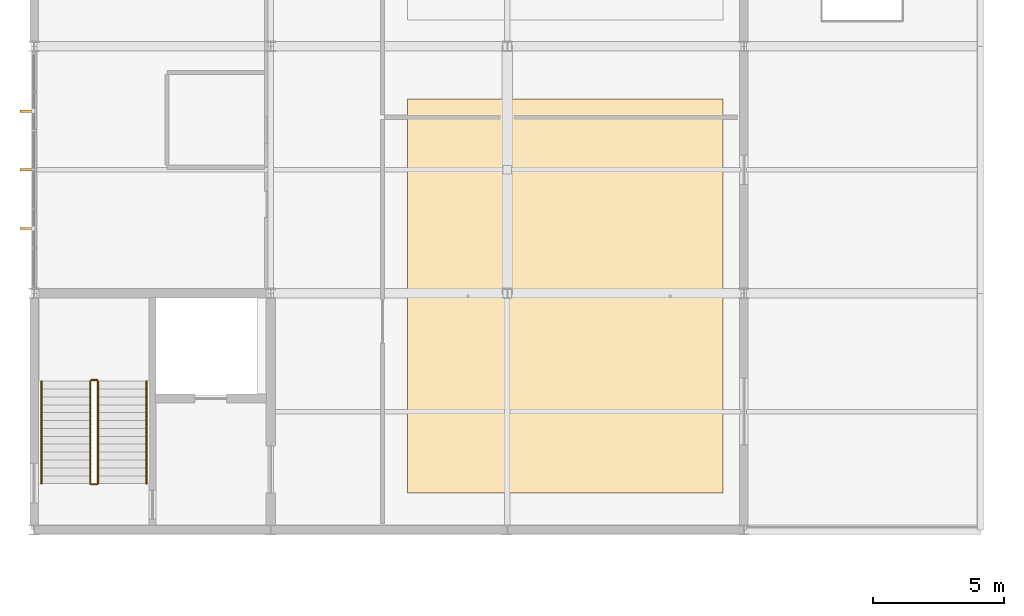
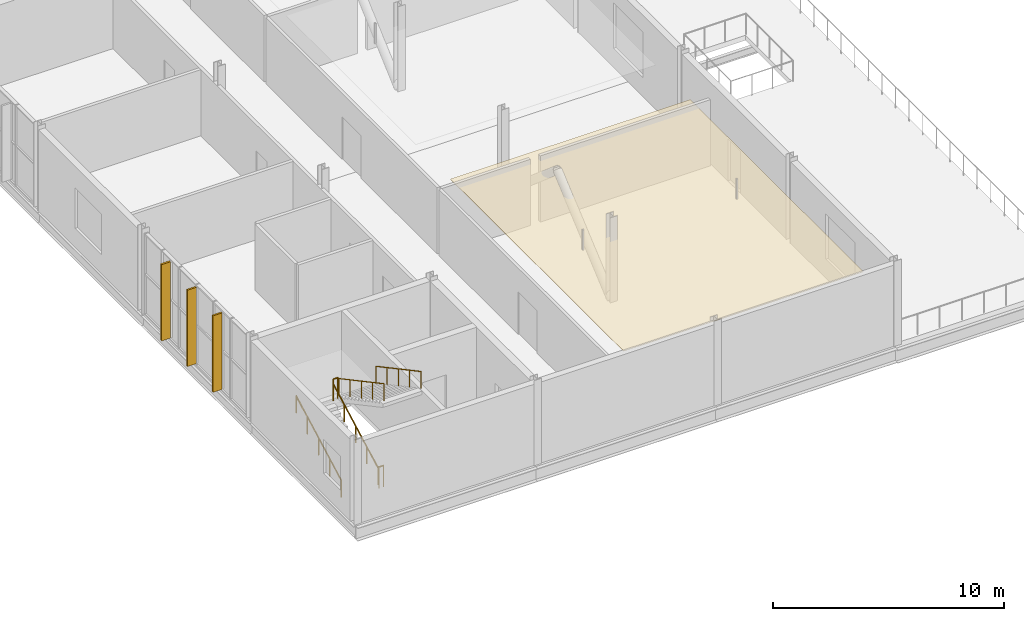
# One storey, part 50 of 53: 6 railings, 3 shading devices, 1 covering.
"""IFC4 building model written with IfcOpenShell, lengths in metres."""

from ifc_helpers import new_model, si_unit, direction, frame, origin, origin_2d, place, context, subcontext, project, spatial, polyline, rectangle, circle, outline, extrude, material, layer, layer_set, type_object, element, save


model = new_model("IFC4")

# Units and contexts
model_context = context("Model", 3, precision=1e-05, world=origin(), true_north=direction((0.0, 1.0)))
body_context = subcontext(model_context, "Body", "Model", "MODEL_VIEW")
ifc_project = project(units=[si_unit("LENGTHUNIT", "METRE"), si_unit("AREAUNIT", "SQUARE_METRE"), si_unit("VOLUMEUNIT", "CUBIC_METRE"), si_unit("PLANEANGLEUNIT", "RADIAN"), si_unit("MASSUNIT", "GRAM", prefix="KILO")], contexts=[model_context])

# Site, building, storey
site_placement = place(None, origin())
site = spatial("IfcSite", under=ifc_project, at=site_placement, CompositionType="ELEMENT")
building_placement = place(site_placement, origin())
building = spatial("IfcBuilding", under=site, at=building_placement, Name="Cazmaro Siding Exhibition Halls", CompositionType="ELEMENT")
storey_placement = place(building_placement, frame((0.0, 0.0, 21.0)))
storey = spatial("IfcBuildingStorey", under=building, at=storey_placement, Name="L04", CompositionType="ELEMENT", Elevation=21.0)

# Covering
ifc_material_1 = material(Name="Perforated Micro-Slotted Acoustic Timber Ceiling Cloud", Category="wood")
ifc_layer = layer(ifc_material_1, 0.02490234375)
ifc_layer_set = layer_set([ifc_layer], Name="Perforated Micro-Slotted Acoustic Timber Ceiling Cloud")
covering_type = type_object("IfcCoveringType", Name="COV-CEIL-01", PredefinedType="CEILING", material=ifc_layer_set)
covering_placement = place(storey_placement, frame((0.0, 0.0, 3.199951171875)))
element("IfcCovering", 1, at=covering_placement, inside=storey, type_object=covering_type, Name="Acoustic Timber Ceiling Cloud 009", PredefinedType="CEILING", context=body_context, shape_type="SweptSolid", body=[
    extrude(outline(polyline([(14.199951171875, 56.0), (26.199951171875, 56.0), (26.199951171875, 71.0), (14.199951171875, 71.0), (14.199951171875, 56.0)])), origin(), (0.0, 0.0, 1.0), 0.025146484375),
])

# Railings
ifc_material_2 = material(Name="Painted Steel Stairwell Guardrail", Category="steel")
railing_type_1 = type_object("IfcRailingType", Name="RL-GRD-01", PredefinedType="GUARDRAIL", material=ifc_material_2)
for number, where, name in (
    (2, (2.1650390625, 56.340087890625, 0.0), "Core C7 L04 Landing Slot Guard RL-GRD-01 RL-SG032"),
    (3, (2.1650390625, 60.300048828125, 2.25), "ST-17 Mid-Landing Slot Guard RL-GRD-01 RL-SG033"),
):
    element("IfcRailing", number, at=place(storey_placement, frame(where)), inside=storey, type_object=railing_type_1, Name=name, PredefinedType="GUARDRAIL", context=body_context, shape_type="SweptSolid", body=[
        extrude(circle(Radius=0.02392578125, at=origin_2d()), frame((0.0, 0.0, 1.09619140625), z_axis=(1.0, 0.0, 0.0), x_axis=(0.0, 1.0, 0.0)), (0.0, 0.0, 1.0), 0.224853515625),
        extrude(circle(Radius=0.02099609375, at=origin_2d()), origin(), (0.0, 0.0, 1.0), 1.072021484375),
        extrude(circle(Radius=0.02099609375, at=origin_2d()), frame((0.224853515625, 0.0, 0.0)), (0.0, 0.0, 1.0), 1.072021484375),
    ])
ifc_material_3 = material(Name="Brushed Stainless Steel Tubular Handrail", Category="steel")
railing_type_2 = type_object("IfcRailingType", Name="RL-HR-01", PredefinedType="HANDRAIL", material=ifc_material_3)
railing_1_placement = place(storey_placement, frame((0.280029296875, 56.360107421875, 0.160888671875)))
element("IfcRailing", 4, at=railing_1_placement, inside=storey, type_object=railing_type_2, Name="ST-17 Flight 1 Handrail 1", PredefinedType="HANDRAIL", context=body_context, shape_type="SweptSolid", body=[
    extrude(circle(Radius=0.02392578125, at=origin_2d()), frame((0.0, 0.0, 0.89599609375), z_axis=(0.0, 0.881491454809, 0.472199973632), x_axis=(-1.0, 0.0, 0.0)), (0.0, 0.0, 1.0), 4.42431640625),
    extrude(circle(Radius=0.02099609375, at=origin_2d()), origin(), (0.0, 0.0, 1.0), 0.871826171875),
    extrude(circle(Radius=0.02099609375, at=origin_2d()), frame((0.0, 0.97509765625, 0.522216796875)), (0.0, 0.0, 1.0), 0.871826171875),
    extrude(circle(Radius=0.02099609375, at=origin_2d()), frame((0.0, 1.949951171875, 1.04443359375)), (0.0, 0.0, 1.0), 0.871826171875),
    extrude(circle(Radius=0.02099609375, at=origin_2d()), frame((0.0, 2.9248046875, 1.56689453125)), (0.0, 0.0, 1.0), 0.871826171875),
    extrude(circle(Radius=0.02099609375, at=origin_2d()), frame((0.0, 3.89990234375, 2.089111328125)), (0.0, 0.0, 1.0), 0.871826171875),
])
railing_2_placement = place(storey_placement, frame((2.425048828125, 60.260009765625, 2.410888671875)))
element("IfcRailing", 5, at=railing_2_placement, inside=storey, type_object=railing_type_2, Name="ST-17 Flight 2 Handrail 1", PredefinedType="HANDRAIL", context=body_context, shape_type="SweptSolid", body=[
    extrude(circle(Radius=0.02392578125, at=origin_2d()), frame((0.0, 0.0, 0.89599609375), z_axis=(0.0, -0.881491454809, 0.472199973632), x_axis=(1.0, 0.0, 0.0)), (0.0, 0.0, 1.0), 4.42431640625),
    extrude(circle(Radius=0.02099609375, at=origin_2d()), origin(), (0.0, 0.0, 1.0), 0.871826171875),
    extrude(circle(Radius=0.02099609375, at=origin_2d()), frame((0.0, -0.97509765625, 0.522216796875)), (0.0, 0.0, 1.0), 0.871826171875),
    extrude(circle(Radius=0.02099609375, at=origin_2d()), frame((0.0, -1.949951171875, 1.04443359375)), (0.0, 0.0, 1.0), 0.871826171875),
    extrude(circle(Radius=0.02099609375, at=origin_2d()), frame((0.0, -2.9248046875, 1.56689453125)), (0.0, 0.0, 1.0), 0.871826171875),
    extrude(circle(Radius=0.02099609375, at=origin_2d()), frame((0.0, -3.89990234375, 2.089111328125)), (0.0, 0.0, 1.0), 0.871826171875),
])
railing_3_placement = place(storey_placement, frame((2.1298828125, 56.360107421875, 0.160888671875)))
element("IfcRailing", 6, at=railing_3_placement, inside=storey, type_object=railing_type_2, Name="ST-17 Flight 1 Handrail 2", PredefinedType="HANDRAIL", context=body_context, shape_type="SweptSolid", body=[
    extrude(circle(Radius=0.02392578125, at=origin_2d()), frame((0.0, 0.0, 0.89599609375), z_axis=(0.0, 0.881491454809, 0.472199973632), x_axis=(-1.0, 0.0, 0.0)), (0.0, 0.0, 1.0), 4.42431640625),
    extrude(circle(Radius=0.02099609375, at=origin_2d()), origin(), (0.0, 0.0, 1.0), 0.871826171875),
    extrude(circle(Radius=0.02099609375, at=origin_2d()), frame((0.0, 0.97509765625, 0.522216796875)), (0.0, 0.0, 1.0), 0.871826171875),
    extrude(circle(Radius=0.02099609375, at=origin_2d()), frame((0.0, 1.949951171875, 1.04443359375)), (0.0, 0.0, 1.0), 0.871826171875),
    extrude(circle(Radius=0.02099609375, at=origin_2d()), frame((0.0, 2.9248046875, 1.56689453125)), (0.0, 0.0, 1.0), 0.871826171875),
    extrude(circle(Radius=0.02099609375, at=origin_2d()), frame((0.0, 3.89990234375, 2.089111328125)), (0.0, 0.0, 1.0), 0.871826171875),
])
railing_4_placement = place(storey_placement, frame((4.27490234375, 60.260009765625, 2.410888671875)))
element("IfcRailing", 7, at=railing_4_placement, inside=storey, type_object=railing_type_2, Name="ST-17 Flight 2 Handrail 2", PredefinedType="HANDRAIL", context=body_context, shape_type="SweptSolid", body=[
    extrude(circle(Radius=0.02392578125, at=origin_2d()), frame((0.0, 0.0, 0.89599609375), z_axis=(0.0, -0.881491454809, 0.472199973632), x_axis=(1.0, 0.0, 0.0)), (0.0, 0.0, 1.0), 4.42431640625),
    extrude(circle(Radius=0.02099609375, at=origin_2d()), origin(), (0.0, 0.0, 1.0), 0.871826171875),
    extrude(circle(Radius=0.02099609375, at=origin_2d()), frame((0.0, -0.97509765625, 0.522216796875)), (0.0, 0.0, 1.0), 0.871826171875),
    extrude(circle(Radius=0.02099609375, at=origin_2d()), frame((0.0, -1.949951171875, 1.04443359375)), (0.0, 0.0, 1.0), 0.871826171875),
    extrude(circle(Radius=0.02099609375, at=origin_2d()), frame((0.0, -2.9248046875, 1.56689453125)), (0.0, 0.0, 1.0), 0.871826171875),
    extrude(circle(Radius=0.02099609375, at=origin_2d()), frame((0.0, -3.89990234375, 2.089111328125)), (0.0, 0.0, 1.0), 0.871826171875),
])

# Shading devices
ifc_material_4 = material(Name="Extruded Kiln-Fired Terracotta Sunshade Louver", Category="concrete")
shading_device_type = type_object("IfcShadingDeviceType", Name="SHD-TC-01", PredefinedType="USERDEFINED", material=ifc_material_4)
for number, where, z_axis, x_axis, name in (
    (8, (-0.31494140625, 66.06591796875, 0.125), (0.0, 0.0, 1.0), (1.0, 0.0, 0.0), "Extruded Terracotta Vertical Sunshade Fin SHD-01 046"),
    (9, (-0.31494140625, 68.300048828125, 0.125), (0.0, 0.0, 1.0), (1.0, 0.0, 0.0), "Extruded Terracotta Vertical Sunshade Fin SHD-01 047"),
    (10, (-0.31494140625, 70.534912109375, 0.125), (0.0, 0.0, 1.0), (1.0, 0.0, 0.0), "Extruded Terracotta Vertical Sunshade Fin SHD-01 048"),
):
    element("IfcShadingDevice", number, at=place(storey_placement, frame(where, z_axis=z_axis, x_axis=x_axis)), inside=storey, type_object=shading_device_type, Name=name, ObjectType="SUNSHADE", PredefinedType="USERDEFINED", context=body_context, shape_type="SweptSolid", body=[
        extrude(rectangle(XDim=0.449951171875, YDim=0.090087890625, at=origin_2d()), origin(), (0.0, 0.0, 1.0), 4.0400390625),
    ])

save(model, "model.ifc")
